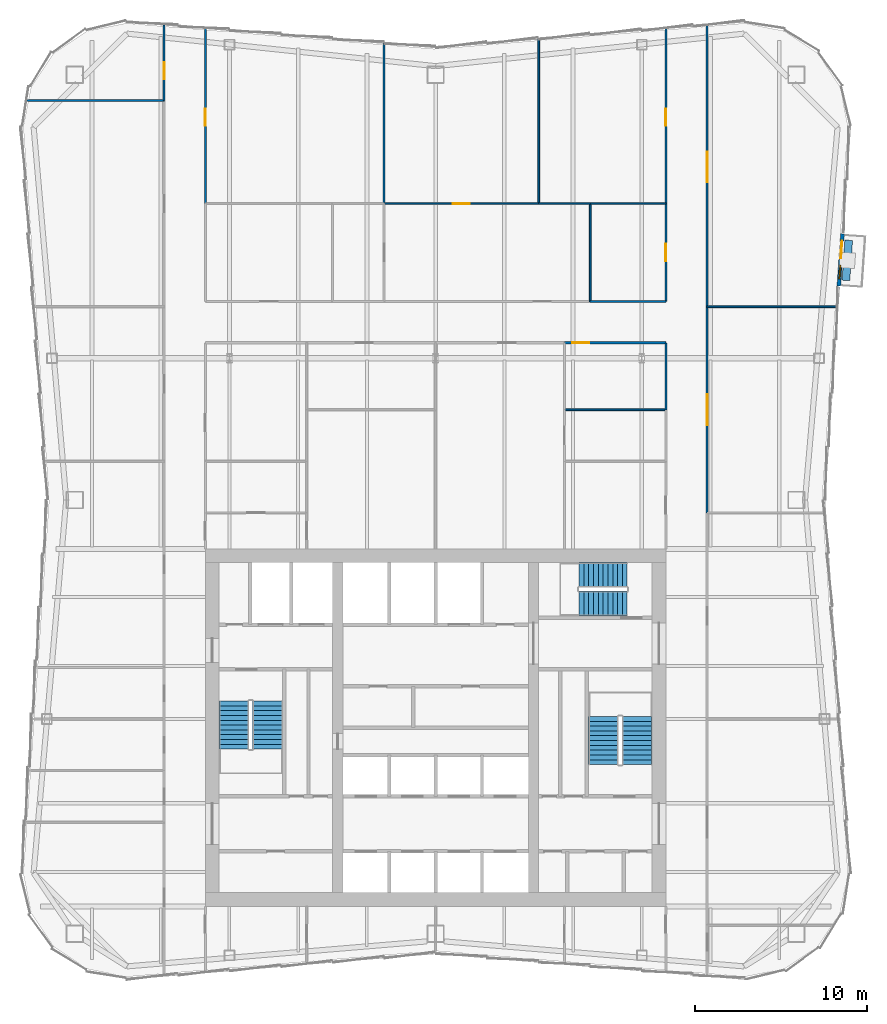
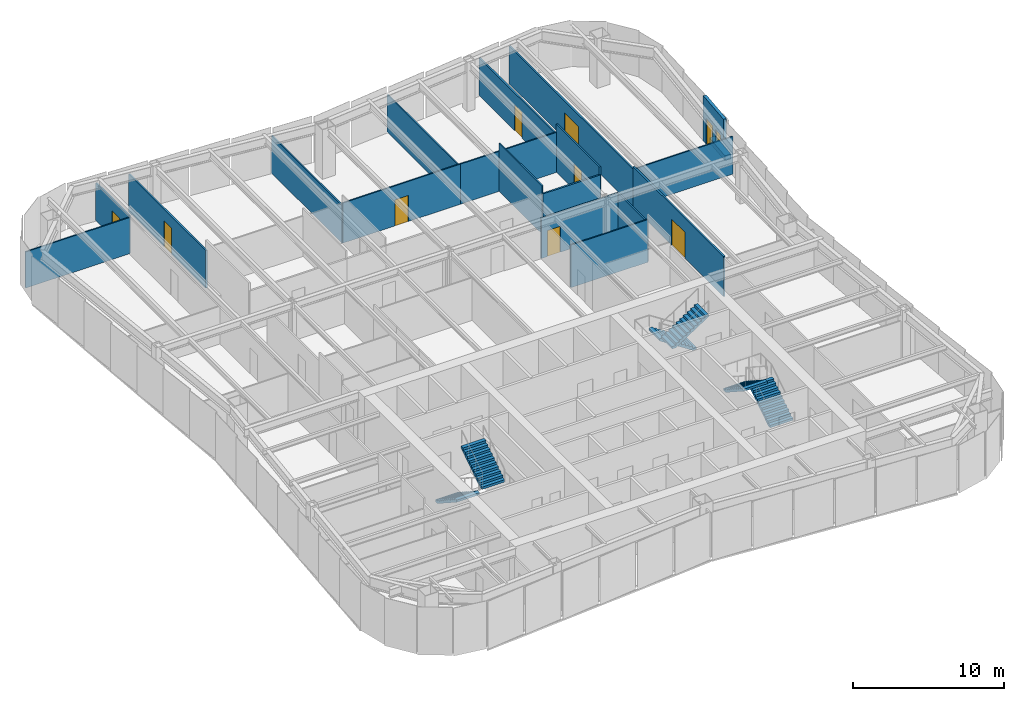
# One storey, part 9 of 11: 20 walls, 9 doors, 6 stair flights, 1 window, 10 openings, 3 elements without a shape of their own.
"""IFC4 building model written with IfcOpenShell, lengths in metres."""

from ifc_helpers import new_model, si_unit, direction, frame, frame_2d, origin, place, context, subcontext, project, spatial, polyline, rectangle, outline, extrude, material, layer, layer_set, type_object, element, fill, aggregate, save


model = new_model("IFC4")

# Units and contexts
model_context = context("Model", 3, precision=1e-05, world=origin(), true_north=direction((0.0, 1.0)))
body_context = subcontext(model_context, "Body", "Model", "MODEL_VIEW")
ifc_project = project(units=[si_unit("LENGTHUNIT", "METRE"), si_unit("AREAUNIT", "SQUARE_METRE"), si_unit("VOLUMEUNIT", "CUBIC_METRE"), si_unit("PLANEANGLEUNIT", "RADIAN"), si_unit("MASSUNIT", "GRAM", prefix="KILO")], contexts=[model_context])

# Site, building, storey
site_placement = place(None, origin())
site = spatial("IfcSite", under=ifc_project, at=site_placement, CompositionType="ELEMENT")
building_placement = place(site_placement, origin())
building = spatial("IfcBuilding", under=site, at=building_placement, Name="Verdant Reach Tower", CompositionType="ELEMENT")
storey_placement = place(building_placement, frame((0.0, 0.0, 254.0)))
storey = spatial("IfcBuildingStorey", under=building, at=storey_placement, Name="L58", CompositionType="ELEMENT", Elevation=254.0)

# Wall, openings, door, window
ifc_material_1 = material(Name="Insulated bronze aluminium panel wall", Category="aluminium")
ifc_layer_1 = layer(ifc_material_1, 0.219970703125)
ifc_layer_set_1 = layer_set([ifc_layer_1], Name="EN-INFILL WALL")
wall_type_1 = type_object("IfcWallType", Name="EN-INFILL WALL", PredefinedType="SOLIDWALL", material=ifc_layer_set_1)
wall_1_placement = place(storey_placement, frame((23.47119140625, 53.704833984375, 0.0), z_axis=(0.0, 0.0, 1.0), x_axis=(0.068837845086, 0.997627862023, 0.0)))
wall_1 = element("IfcWall", 1, at=wall_1_placement, inside=storey, type_object=wall_type_1, Name="External infill wall, balcony bay 1, L58", PredefinedType="SOLIDWALL", context=body_context, shape_type="SweptSolid", body=[
    extrude(rectangle(XDim=3.046630859375, YDim=0.22412109375, at=frame_2d((1.5234375, 0.0))), origin(), (0.0, 0.0, 1.0), 3.64990234375),
])
opening_1_placement = place(wall_1_placement, frame((1.631103515625, 0.0, 0.0)))
opening_1 = element("IfcOpeningElement", 2, at=opening_1_placement, cuts=wall_1, Name="Opening BD1", PredefinedType="OPENING", context=body_context, shape_type="SweptSolid", body=[
    extrude(rectangle(XDim=1.0, YDim=2.10009765625, at=frame_2d((0.5, 1.050048828125))), frame((0.0, 0.1220703125, 0.0), z_axis=(0.0, -1.0, 0.0), x_axis=(1.0, 0.0, 0.0)), (0.0, 0.0, 1.0), 0.244140625),
])
opening_2_placement = place(wall_1_placement, frame((0.41552734375, 0.0, 0.89990234375)))
opening_2 = element("IfcOpeningElement", 3, at=opening_2_placement, cuts=wall_1, Name="Opening BW1", PredefinedType="OPENING", context=body_context, shape_type="SweptSolid", body=[
    extrude(rectangle(XDim=0.800048828125, YDim=1.199951171875, at=frame_2d((0.39990234375, 0.60009765625))), frame((0.0, 0.1220703125, 0.0), z_axis=(0.0, -1.0, 0.0), x_axis=(1.0, 0.0, 0.0)), (0.0, 0.0, 1.0), 0.244140625),
])
ifc_material_2 = material(Name="Aluminium framed glazed door", Category="aluminium")
door_type_1 = type_object("IfcDoorType", Name="EN-DOOR BALCONY", OperationType="NOTDEFINED", PredefinedType="DOOR", material=ifc_material_2)
door_1_placement = place(opening_1_placement, origin())
door_1 = element("IfcDoor", 4, at=door_1_placement, inside=storey, type_object=door_type_1, Name="Balcony door 1, L58", OperationType="SINGLE_SWING_RIGHT", OverallHeight=2.10009765625, OverallWidth=1.0, PredefinedType="DOOR", context=body_context, shape_type="SweptSolid", body=[
    extrude(rectangle(XDim=1.0, YDim=2.10009765625, at=frame_2d((0.5, 1.050048828125))), frame((0.0, 0.02490234375, 0.0), z_axis=(0.0, -1.0, 0.0), x_axis=(1.0, 0.0, 0.0)), (0.0, 0.0, 1.0), 0.050048828125),
])
fill(opening_1, door_1)
ifc_material_3 = material(Name="Aluminium framed glazing", Category="aluminium")
window_type = type_object("IfcWindowType", Name="EN-WINDOW BALCONY", PartitioningType="SINGLE_PANEL", PredefinedType="WINDOW", material=ifc_material_3)
window_placement = place(opening_2_placement, origin())
window = element("IfcWindow", 5, at=window_placement, inside=storey, type_object=window_type, Name="Balcony window 1, L58", OverallHeight=1.199951171875, OverallWidth=0.800048828125, PartitioningType="SINGLE_PANEL", PredefinedType="WINDOW", context=body_context, shape_type="SweptSolid", body=[
    extrude(rectangle(XDim=0.800048828125, YDim=1.199951171875, at=frame_2d((0.39990234375, 0.60009765625))), frame((0.0, 0.030029296875, 0.0), z_axis=(0.0, -1.0, 0.0), x_axis=(1.0, 0.0, 0.0)), (0.0, 0.0, 1.0), 0.06005859375),
])
fill(opening_2, window)

# Walls
ifc_material_4 = material(Name="Precast concrete C30/37", Category="concrete")
ifc_layer_2 = layer(ifc_material_4, 0.449951171875)
ifc_layer_set_2 = layer_set([ifc_layer_2], Name="EN-PLANTER")
wall_type_2 = type_object("IfcWallType", Name="EN-PLANTER", PredefinedType="USERDEFINED", material=ifc_layer_set_2)
wall_2_placement = place(storey_placement, frame((23.88134765625, 54.02734375, 0.0), z_axis=(0.0, 0.0, 1.0), x_axis=(0.068769956374, 0.997632544127, 0.0)))
element("IfcWall", 6, at=wall_2_placement, inside=storey, type_object=wall_type_2, Name="Balcony planter 1, L58", ObjectType="PLANTER", PredefinedType="USERDEFINED", context=body_context, shape_type="SweptSolid", body=[
    extrude(rectangle(XDim=2.3466796875, YDim=0.449951171875, at=frame_2d((1.17333984375, 0.0))), origin(), (0.0, 0.0, 1.0), 0.39990234375),
])
ifc_material_5 = material(Name="Gypsum board on steel studs", Category="steel")
ifc_layer_3 = layer(ifc_material_5, 0.10009765625)
ifc_layer_set_3 = layer_set([ifc_layer_3], Name="FL-W1 Partition 100")
wall_type_3 = type_object("IfcWallType", Name="FL-W1 Partition 100", PredefinedType="PARTITIONING", material=ifc_layer_set_3)
wall_3_placement = place(storey_placement, frame((-15.800048828125, 64.5, 0.0), z_axis=(0.0, 0.0, 1.0), x_axis=(-1.0, 0.0, 0.0)))
element("IfcWall", 7, at=wall_3_placement, inside=storey, type_object=wall_type_3, Name="Partition 58.40", PredefinedType="PARTITIONING", context=body_context, shape_type="SweptSolid", body=[
    extrude(rectangle(XDim=7.9814453125, YDim=0.10009765625, at=frame_2d((3.99072265625, 0.0))), origin(), (0.0, 0.0, 1.0), 2.929931640625),
])
wall_4_placement = place(storey_placement, frame((23.35595703125, 52.5, 0.0), z_axis=(0.0, 0.0, 1.0), x_axis=(-1.0, 0.0, 0.0)))
element("IfcWall", 8, at=wall_4_placement, inside=storey, type_object=wall_type_3, Name="Partition 58.44", PredefinedType="PARTITIONING", context=body_context, shape_type="SweptSolid", body=[
    extrude(rectangle(XDim=7.555908203125, YDim=0.10009765625, at=frame_2d((3.77783203125, 0.0))), origin(), (0.0, 0.0, 1.0), 3.0400390625),
])
wall_5_placement = place(storey_placement, frame((13.39990234375, 46.5, 0.0), z_axis=(0.0, 0.0, 1.0), x_axis=(-1.0, 0.0, 0.0)))
element("IfcWall", 9, at=wall_5_placement, inside=storey, type_object=wall_type_3, Name="Partition 58.59", PredefinedType="PARTITIONING", context=body_context, shape_type="SweptSolid", body=[
    extrude(rectangle(XDim=5.89990234375, YDim=0.10009765625, at=frame_2d((2.949951171875, 0.0))), origin(), (0.0, 0.0, 1.0), 3.43994140625),
])
wall_6_placement = place(storey_placement, frame((9.0, 52.800048828125, 0.0), z_axis=(0.0, 0.0, 1.0), x_axis=(0.0, 1.0, 0.0)))
element("IfcWall", 10, at=wall_6_placement, inside=storey, type_object=wall_type_3, Name="Partition 58.66", PredefinedType="PARTITIONING", context=body_context, shape_type="SweptSolid", body=[
    extrude(rectangle(XDim=5.699951171875, YDim=0.10009765625, at=frame_2d((2.85009765625, 0.0))), origin(), (0.0, 0.0, 1.0), 3.8701171875),
])

# Wall, opening, door
wall_7_placement = place(storey_placement, frame((-3.0, 58.5, 0.0), z_axis=(0.0, 0.0, 1.0), x_axis=(1.0, 0.0, 0.0)))
wall_7 = element("IfcWall", 11, at=wall_7_placement, inside=storey, type_object=wall_type_3, Name="Partition 58.67", PredefinedType="PARTITIONING", context=body_context, shape_type="SweptSolid", body=[
    extrude(rectangle(XDim=9.0, YDim=0.10009765625, at=frame_2d((4.5, 0.0))), origin(), (0.0, 0.0, 1.0), 3.239990234375),
])
opening_3_placement = place(wall_7_placement, frame((4.0, 0.0, 0.0)))
opening_3 = element("IfcOpeningElement", 12, at=opening_3_placement, cuts=wall_7, Name="Opening D3", PredefinedType="OPENING", context=body_context, shape_type="SweptSolid", body=[
    extrude(rectangle(XDim=1.0, YDim=2.10009765625, at=frame_2d((0.5, 1.050048828125))), frame((0.0, 0.06005859375, 0.0), z_axis=(0.0, -1.0, 0.0), x_axis=(1.0, 0.0, 0.0)), (0.0, 0.0, 1.0), 0.1201171875),
])
ifc_material_6 = material(Name="Painted timber door leaf", Category="wood")
door_type_2 = type_object("IfcDoorType", Name="FL-D3 Door 1000x2100", OperationType="NOTDEFINED", PredefinedType="DOOR", material=ifc_material_6)
door_2_placement = place(opening_3_placement, origin())
door_2 = element("IfcDoor", 13, at=door_2_placement, inside=storey, type_object=door_type_2, Name="Door 58-033", OperationType="SINGLE_SWING_LEFT", OverallHeight=2.10009765625, OverallWidth=1.0, PredefinedType="DOOR", context=body_context, shape_type="SweptSolid", body=[
    extrude(rectangle(XDim=1.0, YDim=2.10009765625, at=frame_2d((0.5, 1.050048828125))), frame((0.0, 0.02490234375, 0.0), z_axis=(0.0, -1.0, 0.0), x_axis=(1.0, 0.0, 0.0)), (0.0, 0.0, 1.0), 0.050048828125),
])
fill(opening_3, door_2)

# Walls
wall_8_placement = place(storey_placement, frame((9.00390625, 58.5, 0.0), z_axis=(0.0, 0.0, 1.0), x_axis=(-1.0, 0.0, 0.0)))
element("IfcWall", 14, at=wall_8_placement, inside=storey, type_object=wall_type_3, Name="Partition 58.68", PredefinedType="PARTITIONING", context=body_context, shape_type="SweptSolid", body=[
    extrude(rectangle(XDim=3.00390625, YDim=0.10009765625, at=frame_2d((1.501953125, 0.0))), origin(), (0.0, 0.0, 1.0), 3.239990234375),
])
wall_9_placement = place(storey_placement, frame((13.39990234375, 58.5, 0.0), z_axis=(0.0, 0.0, 1.0), x_axis=(-1.0, 0.0, 0.0)))
element("IfcWall", 15, at=wall_9_placement, inside=storey, type_object=wall_type_3, Name="Partition 58.69", PredefinedType="PARTITIONING", context=body_context, shape_type="SweptSolid", body=[
    extrude(rectangle(XDim=4.40380859375, YDim=0.10009765625, at=frame_2d((2.201904296875, 0.0))), origin(), (0.0, 0.0, 1.0), 3.239990234375),
])
wall_10_placement = place(storey_placement, frame((-3.0, 58.5, 0.0), z_axis=(0.0, 0.0, 1.0), x_axis=(0.0, 1.0, 0.0)))
element("IfcWall", 16, at=wall_10_placement, inside=storey, type_object=wall_type_3, Name="Partition 58.70", PredefinedType="PARTITIONING", context=body_context, shape_type="SweptSolid", body=[
    extrude(rectangle(XDim=9.330078125, YDim=0.10009765625, at=frame_2d((4.6650390625, 0.0))), origin(), (0.0, 0.0, 1.0), 3.0400390625),
])
wall_11_placement = place(storey_placement, frame((6.0, 58.5, 0.0), z_axis=(0.0, 0.0, 1.0), x_axis=(0.0, 1.0, 0.0)))
element("IfcWall", 17, at=wall_11_placement, inside=storey, type_object=wall_type_3, Name="Partition 58.71", PredefinedType="PARTITIONING", context=body_context, shape_type="SweptSolid", body=[
    extrude(rectangle(XDim=9.580078125, YDim=0.10009765625, at=frame_2d((4.7900390625, 0.0))), origin(), (0.0, 0.0, 1.0), 3.0400390625),
])

# Wall, opening, door
ifc_material_7 = material(Name="Gypsum board on steel studs, fire rated", Category="steel")
ifc_layer_4 = layer(ifc_material_7, 0.125)
ifc_layer_set_4 = layer_set([ifc_layer_4], Name="FL-W2 Corridor wall 125")
wall_type_4 = type_object("IfcWallType", Name="FL-W2 Corridor wall 125", PredefinedType="PARTITIONING", material=ifc_layer_set_4)
wall_12_placement = place(storey_placement, frame((-15.800048828125, 64.5, 0.0), z_axis=(0.0, 0.0, 1.0), x_axis=(0.0, 1.0, 0.0)))
wall_12 = element("IfcWall", 18, at=wall_12_placement, inside=storey, type_object=wall_type_4, Name="Partition 58.08", PredefinedType="PARTITIONING", context=body_context, shape_type="SweptSolid", body=[
    extrude(rectangle(XDim=4.396728515625, YDim=0.125, at=frame_2d((2.1982421875, 0.0))), origin(), (0.0, 0.0, 1.0), 3.0400390625),
])
opening_4_placement = place(wall_12_placement, frame((1.233154296875, 0.0, 0.0)))
opening_4 = element("IfcOpeningElement", 19, at=opening_4_placement, cuts=wall_12, Name="Opening D2", PredefinedType="OPENING", context=body_context, shape_type="SweptSolid", body=[
    extrude(rectangle(XDim=1.0, YDim=2.10009765625, at=frame_2d((0.5, 1.050048828125))), frame((0.0, 0.072509765625, 0.0), z_axis=(0.0, -1.0, 0.0), x_axis=(1.0, 0.0, 0.0)), (0.0, 0.0, 1.0), 0.14501953125),
])
ifc_material_8 = material(Name="Timber door leaf, fire rated", Category="wood")
door_type_3 = type_object("IfcDoorType", Name="FL-D2 Entrance door 1000x2100 FD30", OperationType="NOTDEFINED", PredefinedType="DOOR", material=ifc_material_8)
door_3_placement = place(opening_4_placement, origin())
door_3 = element("IfcDoor", 20, at=door_3_placement, inside=storey, type_object=door_type_3, Name="Door 58-008", OperationType="SINGLE_SWING_LEFT", OverallHeight=2.10009765625, OverallWidth=1.0, PredefinedType="DOOR", context=body_context, shape_type="SweptSolid", body=[
    extrude(rectangle(XDim=1.0, YDim=2.10009765625, at=frame_2d((0.5, 1.050048828125))), frame((0.0, 0.02490234375, 0.0), z_axis=(0.0, -1.0, 0.0), x_axis=(1.0, 0.0, 0.0)), (0.0, 0.0, 1.0), 0.050048828125),
])
fill(opening_4, door_3)

wall_13_placement = place(storey_placement, frame((15.800048828125, 40.5, 0.0), z_axis=(0.0, 0.0, 1.0), x_axis=(0.0, 1.0, 0.0)))
wall_13 = element("IfcWall", 21, at=wall_13_placement, inside=storey, type_object=wall_type_4, Name="Partition 58.12", PredefinedType="PARTITIONING", context=body_context, shape_type="SweptSolid", body=[
    extrude(rectangle(XDim=12.0, YDim=0.125, at=frame_2d((6.0, 0.0))), origin(), (0.0, 0.0, 1.0), 3.239990234375),
])
opening_5_placement = place(wall_13_placement, frame((5.10009765625, 0.0, 0.0)))
opening_5 = element("IfcOpeningElement", 22, at=opening_5_placement, cuts=wall_13, Name="Opening D4", PredefinedType="OPENING", context=body_context, shape_type="SweptSolid", body=[
    extrude(rectangle(XDim=1.800048828125, YDim=2.10009765625, at=frame_2d((0.89990234375, 1.050048828125))), frame((0.0, 0.072509765625, 0.0), z_axis=(0.0, -1.0, 0.0), x_axis=(1.0, 0.0, 0.0)), (0.0, 0.0, 1.0), 0.14501953125),
])
ifc_material_9 = material(Name="Timber door leaves, fire rated", Category="wood")
door_type_4 = type_object("IfcDoorType", Name="FL-D4 Double door 1800x2100 FD30", OperationType="DOUBLE_DOOR_SINGLE_SWING", PredefinedType="DOOR", material=ifc_material_9)
door_4_placement = place(opening_5_placement, origin())
door_4 = element("IfcDoor", 23, at=door_4_placement, inside=storey, type_object=door_type_4, Name="Door 58-012", OperationType="DOUBLE_DOOR_SINGLE_SWING", OverallHeight=2.10009765625, OverallWidth=1.800048828125, PredefinedType="DOOR", context=body_context, shape_type="SweptSolid", body=[
    extrude(rectangle(XDim=1.800048828125, YDim=2.10009765625, at=frame_2d((0.89990234375, 1.050048828125))), frame((0.0, 0.02490234375, 0.0), z_axis=(0.0, -1.0, 0.0), x_axis=(1.0, 0.0, 0.0)), (0.0, 0.0, 1.0), 0.050048828125),
])
fill(opening_5, door_4)

wall_14_placement = place(storey_placement, frame((15.800048828125, 52.5, 0.0), z_axis=(0.0, 0.0, 1.0), x_axis=(0.0, 1.0, 0.0)))
wall_14 = element("IfcWall", 24, at=wall_14_placement, inside=storey, type_object=wall_type_4, Name="Partition 58.13", PredefinedType="PARTITIONING", context=body_context, shape_type="SweptSolid", body=[
    extrude(rectangle(XDim=16.396728515625, YDim=0.125, at=frame_2d((8.1982421875, 0.0))), origin(), (0.0, 0.0, 1.0), 3.0400390625),
])
opening_6_placement = place(wall_14_placement, frame((7.233154296875, 0.0, 0.0)))
opening_6 = element("IfcOpeningElement", 25, at=opening_6_placement, cuts=wall_14, Name="Opening D4", PredefinedType="OPENING", context=body_context, shape_type="SweptSolid", body=[
    extrude(rectangle(XDim=1.800048828125, YDim=2.10009765625, at=frame_2d((0.89990234375, 1.050048828125))), frame((0.0, 0.072509765625, 0.0), z_axis=(0.0, -1.0, 0.0), x_axis=(1.0, 0.0, 0.0)), (0.0, 0.0, 1.0), 0.14501953125),
])
door_5_placement = place(opening_6_placement, origin())
door_5 = element("IfcDoor", 26, at=door_5_placement, inside=storey, type_object=door_type_4, Name="Door 58-013", OperationType="DOUBLE_DOOR_SINGLE_SWING", OverallHeight=2.10009765625, OverallWidth=1.800048828125, PredefinedType="DOOR", context=body_context, shape_type="SweptSolid", body=[
    extrude(rectangle(XDim=1.800048828125, YDim=2.10009765625, at=frame_2d((0.89990234375, 1.050048828125))), frame((0.0, 0.02490234375, 0.0), z_axis=(0.0, -1.0, 0.0), x_axis=(1.0, 0.0, 0.0)), (0.0, 0.0, 1.0), 0.050048828125),
])
fill(opening_6, door_5)

wall_15_placement = place(storey_placement, frame((13.39990234375, 50.39990234375, 0.0), z_axis=(0.0, 0.0, 1.0), x_axis=(-1.0, 0.0, 0.0)))
wall_15 = element("IfcWall", 27, at=wall_15_placement, inside=storey, type_object=wall_type_4, Name="Partition 58.23", PredefinedType="PARTITIONING", context=body_context, shape_type="SweptSolid", body=[
    extrude(rectangle(XDim=5.89990234375, YDim=0.125, at=frame_2d((2.949951171875, 0.0))), origin(), (0.0, 0.0, 1.0), 3.239990234375),
])
opening_7_placement = place(wall_15_placement, frame((4.449951171875, 0.0, 0.0)))
opening_7 = element("IfcOpeningElement", 28, at=opening_7_placement, cuts=wall_15, Name="Opening D2", PredefinedType="OPENING", context=body_context, shape_type="SweptSolid", body=[
    extrude(rectangle(XDim=1.0, YDim=2.10009765625, at=frame_2d((0.5, 1.050048828125))), frame((0.0, 0.072509765625, 0.0), z_axis=(0.0, -1.0, 0.0), x_axis=(1.0, 0.0, 0.0)), (0.0, 0.0, 1.0), 0.14501953125),
])
door_6_placement = place(opening_7_placement, origin())
door_6 = element("IfcDoor", 29, at=door_6_placement, inside=storey, type_object=door_type_3, Name="Door 58-020", OperationType="SINGLE_SWING_RIGHT", OverallHeight=2.10009765625, OverallWidth=1.0, PredefinedType="DOOR", context=body_context, shape_type="SweptSolid", body=[
    extrude(rectangle(XDim=1.0, YDim=2.10009765625, at=frame_2d((0.5, 1.050048828125))), frame((0.0, 0.02490234375, 0.0), z_axis=(0.0, -1.0, 0.0), x_axis=(1.0, 0.0, 0.0)), (0.0, 0.0, 1.0), 0.050048828125),
])
fill(opening_7, door_6)

# Wall
wall_16_placement = place(storey_placement, frame((13.39990234375, 46.5, 0.0), z_axis=(0.0, 0.0, 1.0), x_axis=(0.0, 1.0, 0.0)))
element("IfcWall", 30, at=wall_16_placement, inside=storey, type_object=wall_type_4, Name="Partition 58.24", PredefinedType="PARTITIONING", context=body_context, shape_type="SweptSolid", body=[
    extrude(rectangle(XDim=3.89990234375, YDim=0.125, at=frame_2d((1.949951171875, 0.0))), origin(), (0.0, 0.0, 1.0), 3.239990234375),
])

# Wall, opening, door
wall_17_placement = place(storey_placement, frame((13.39990234375, 52.800048828125, 0.0), z_axis=(0.0, 0.0, 1.0), x_axis=(0.0, 1.0, 0.0)))
wall_17 = element("IfcWall", 31, at=wall_17_placement, inside=storey, type_object=wall_type_4, Name="Partition 58.30", PredefinedType="PARTITIONING", context=body_context, shape_type="SweptSolid", body=[
    extrude(rectangle(XDim=5.699951171875, YDim=0.125, at=frame_2d((2.85009765625, 0.0))), origin(), (0.0, 0.0, 1.0), 3.8701171875),
])
opening_8_placement = place(wall_17_placement, frame((2.35009765625, 0.0, 0.0)))
opening_8 = element("IfcOpeningElement", 32, at=opening_8_placement, cuts=wall_17, Name="Opening D2", PredefinedType="OPENING", context=body_context, shape_type="SweptSolid", body=[
    extrude(rectangle(XDim=1.0, YDim=2.10009765625, at=frame_2d((0.5, 1.050048828125))), frame((0.0, 0.072509765625, 0.0), z_axis=(0.0, -1.0, 0.0), x_axis=(1.0, 0.0, 0.0)), (0.0, 0.0, 1.0), 0.14501953125),
])
door_7_placement = place(opening_8_placement, origin())
door_7 = element("IfcDoor", 33, at=door_7_placement, inside=storey, type_object=door_type_3, Name="Door 58-024", OperationType="SINGLE_SWING_RIGHT", OverallHeight=2.10009765625, OverallWidth=1.0, PredefinedType="DOOR", context=body_context, shape_type="SweptSolid", body=[
    extrude(rectangle(XDim=1.0, YDim=2.10009765625, at=frame_2d((0.5, 1.050048828125))), frame((0.0, 0.02490234375, 0.0), z_axis=(0.0, -1.0, 0.0), x_axis=(1.0, 0.0, 0.0)), (0.0, 0.0, 1.0), 0.050048828125),
])
fill(opening_8, door_7)

# Wall
wall_18_placement = place(storey_placement, frame((13.39990234375, 52.800048828125, 0.0), z_axis=(0.0, 0.0, 1.0), x_axis=(-1.0, 0.0, 0.0)))
element("IfcWall", 34, at=wall_18_placement, inside=storey, type_object=wall_type_4, Name="Partition 58.31", PredefinedType="PARTITIONING", context=body_context, shape_type="SweptSolid", body=[
    extrude(rectangle(XDim=4.39990234375, YDim=0.125, at=frame_2d((2.199951171875, 0.0))), origin(), (0.0, 0.0, 1.0), 3.239990234375),
])

# Wall, opening, door
wall_19_placement = place(storey_placement, frame((-13.39990234375, 68.69677734375, 0.0), z_axis=(0.0, 0.0, 1.0), x_axis=(0.0, -1.0, 0.0)))
wall_19 = element("IfcWall", 35, at=wall_19_placement, inside=storey, type_object=wall_type_4, Name="Partition 58.32", PredefinedType="PARTITIONING", context=body_context, shape_type="SweptSolid", body=[
    extrude(rectangle(XDim=10.19677734375, YDim=0.125, at=frame_2d((5.098388671875, 0.0))), origin(), (0.0, 0.0, 1.0), 3.0400390625),
])
opening_9_placement = place(wall_19_placement, frame((4.663330078125, 0.0, 0.0)))
opening_9 = element("IfcOpeningElement", 36, at=opening_9_placement, cuts=wall_19, Name="Opening D2", PredefinedType="OPENING", context=body_context, shape_type="SweptSolid", body=[
    extrude(rectangle(XDim=1.0, YDim=2.10009765625, at=frame_2d((0.5, 1.050048828125))), frame((0.0, 0.072509765625, 0.0), z_axis=(0.0, -1.0, 0.0), x_axis=(1.0, 0.0, 0.0)), (0.0, 0.0, 1.0), 0.14501953125),
])
door_8_placement = place(opening_9_placement, origin())
door_8 = element("IfcDoor", 37, at=door_8_placement, inside=storey, type_object=door_type_3, Name="Door 58-025", OperationType="SINGLE_SWING_RIGHT", OverallHeight=2.10009765625, OverallWidth=1.0, PredefinedType="DOOR", context=body_context, shape_type="SweptSolid", body=[
    extrude(rectangle(XDim=1.0, YDim=2.10009765625, at=frame_2d((0.5, 1.050048828125))), frame((0.0, 0.02490234375, 0.0), z_axis=(0.0, -1.0, 0.0), x_axis=(1.0, 0.0, 0.0)), (0.0, 0.0, 1.0), 0.050048828125),
])
fill(opening_9, door_8)

wall_20_placement = place(storey_placement, frame((13.39990234375, 58.5, 0.0), z_axis=(0.0, 0.0, 1.0), x_axis=(0.0, 1.0, 0.0)))
wall_20 = element("IfcWall", 38, at=wall_20_placement, inside=storey, type_object=wall_type_4, Name="Partition 58.33", PredefinedType="PARTITIONING", context=body_context, shape_type="SweptSolid", body=[
    extrude(rectangle(XDim=10.19677734375, YDim=0.125, at=frame_2d((5.098388671875, 0.0))), origin(), (0.0, 0.0, 1.0), 3.0400390625),
])
opening_10_placement = place(wall_20_placement, frame((4.533203125, 0.0, 0.0)))
opening_10 = element("IfcOpeningElement", 39, at=opening_10_placement, cuts=wall_20, Name="Opening D2", PredefinedType="OPENING", context=body_context, shape_type="SweptSolid", body=[
    extrude(rectangle(XDim=1.0, YDim=2.10009765625, at=frame_2d((0.5, 1.050048828125))), frame((0.0, 0.072509765625, 0.0), z_axis=(0.0, -1.0, 0.0), x_axis=(1.0, 0.0, 0.0)), (0.0, 0.0, 1.0), 0.14501953125),
])
door_9_placement = place(opening_10_placement, origin())
door_9 = element("IfcDoor", 40, at=door_9_placement, inside=storey, type_object=door_type_3, Name="Door 58-026", OperationType="SINGLE_SWING_LEFT", OverallHeight=2.10009765625, OverallWidth=1.0, PredefinedType="DOOR", context=body_context, shape_type="SweptSolid", body=[
    extrude(rectangle(XDim=1.0, YDim=2.10009765625, at=frame_2d((0.5, 1.050048828125))), frame((0.0, 0.02490234375, 0.0), z_axis=(0.0, -1.0, 0.0), x_axis=(1.0, 0.0, 0.0)), (0.0, 0.0, 1.0), 0.050048828125),
])
fill(opening_10, door_9)

# Stair, stair flights
ifc_material_10 = material(Name="Concrete C40/50", Category="concrete")
stair_type = type_object("IfcStairType", Name="CO-STAIR", PredefinedType="HALF_TURN_STAIR", material=ifc_material_10)
stair_1_placement = place(storey_placement, origin())
stair_1 = element("IfcStair", 41, at=stair_1_placement, inside=storey, type_object=stair_type, Name="L58 Exit stair 1", PredefinedType="HALF_TURN_STAIR")
stair_flight_type = type_object("IfcStairFlightType", Name="CO-STAIR-FLIGHT", PredefinedType="STRAIGHT", material=ifc_material_10)
stair_flight_1_placement = place(storey_placement, frame((-11.72509765625, 29.550048828125, 0.0), z_axis=(0.0, 0.0, 1.0), x_axis=(0.0, -1.0, 0.0)))
stair_flight_1 = element("IfcStairFlight", 42, at=stair_flight_1_placement, type_object=stair_flight_type, Name="ST-1 flight 1", NumberOfRisers=11, NumberOfTreads=10, PredefinedType="STRAIGHT", RiserHeight=0.181818182, TreadLength=0.28, context=body_context, shape_type="SweptSolid", body=[
    extrude(outline(polyline([(0.0, 0.0), (0.0, 0.181884765625), (0.280029296875, 0.181884765625), (0.280029296875, 0.363525390625), (0.56005859375, 0.363525390625), (0.56005859375, 0.54541015625), (0.840087890625, 0.54541015625), (0.840087890625, 0.727294921875), (1.1201171875, 0.727294921875), (1.1201171875, 0.9091796875), (1.39990234375, 0.9091796875), (1.39990234375, 1.0908203125), (1.679931640625, 1.0908203125), (1.679931640625, 1.272705078125), (1.9599609375, 1.272705078125), (1.9599609375, 1.45458984375), (2.239990234375, 1.45458984375), (2.239990234375, 1.636474609375), (2.52001953125, 1.636474609375), (2.52001953125, 1.818115234375), (2.800048828125, 1.818115234375), (2.800048828125, 2.0), (2.800048828125, 1.639404296875), (0.275146484375, 0.0), (0.0, 0.0)])), frame((0.0, 0.875, 0.0), z_axis=(0.0, -1.0, 0.0), x_axis=(1.0, 0.0, 0.0)), (0.0, 0.0, 1.0), 1.75),
])
stair_flight_2_placement = place(storey_placement, frame((-9.77490234375, 26.75, 2.0), z_axis=(0.0, 0.0, 1.0), x_axis=(0.0, 1.0, 0.0)))
stair_flight_2 = element("IfcStairFlight", 43, at=stair_flight_2_placement, type_object=stair_flight_type, Name="ST-1 flight 2", NumberOfRisers=11, NumberOfTreads=10, PredefinedType="STRAIGHT", RiserHeight=0.181818182, TreadLength=0.28, context=body_context, shape_type="SweptSolid", body=[
    extrude(outline(polyline([(0.0, 0.0), (0.0, 0.181884765625), (0.280029296875, 0.181884765625), (0.280029296875, 0.363525390625), (0.56005859375, 0.363525390625), (0.56005859375, 0.54541015625), (0.840087890625, 0.54541015625), (0.840087890625, 0.727294921875), (1.1201171875, 0.727294921875), (1.1201171875, 0.9091796875), (1.39990234375, 0.9091796875), (1.39990234375, 1.0908203125), (1.679931640625, 1.0908203125), (1.679931640625, 1.272705078125), (1.9599609375, 1.272705078125), (1.9599609375, 1.45458984375), (2.239990234375, 1.45458984375), (2.239990234375, 1.636474609375), (2.52001953125, 1.636474609375), (2.52001953125, 1.818115234375), (2.800048828125, 1.818115234375), (2.800048828125, 2.0), (2.800048828125, 1.639404296875), (0.275146484375, 0.0), (0.0, 0.0)])), frame((0.0, 0.875, 0.0), z_axis=(0.0, -1.0, 0.0), x_axis=(1.0, 0.0, 0.0)), (0.0, 0.0, 1.0), 1.75),
])
aggregate(stair_1, [stair_flight_1, stair_flight_2])

stair_2_placement = place(storey_placement, origin())
stair_2 = element("IfcStair", 44, at=stair_2_placement, inside=storey, type_object=stair_type, Name="L58 Exit stair 2", PredefinedType="HALF_TURN_STAIR")
stair_flight_3_placement = place(storey_placement, frame((11.72509765625, 25.85009765625, 0.0), z_axis=(0.0, 0.0, 1.0), x_axis=(0.0, 1.0, 0.0)))
stair_flight_3 = element("IfcStairFlight", 45, at=stair_flight_3_placement, type_object=stair_flight_type, Name="ST-2 flight 1", NumberOfRisers=11, NumberOfTreads=10, PredefinedType="STRAIGHT", RiserHeight=0.181818182, TreadLength=0.28, context=body_context, shape_type="SweptSolid", body=[
    extrude(outline(polyline([(0.0, 0.0), (0.0, 0.181884765625), (0.280029296875, 0.181884765625), (0.280029296875, 0.363525390625), (0.56005859375, 0.363525390625), (0.56005859375, 0.54541015625), (0.840087890625, 0.54541015625), (0.840087890625, 0.727294921875), (1.1201171875, 0.727294921875), (1.1201171875, 0.9091796875), (1.39990234375, 0.9091796875), (1.39990234375, 1.0908203125), (1.679931640625, 1.0908203125), (1.679931640625, 1.272705078125), (1.9599609375, 1.272705078125), (1.9599609375, 1.45458984375), (2.239990234375, 1.45458984375), (2.239990234375, 1.636474609375), (2.52001953125, 1.636474609375), (2.52001953125, 1.818115234375), (2.800048828125, 1.818115234375), (2.800048828125, 2.0), (2.800048828125, 1.639404296875), (0.275146484375, 0.0), (0.0, 0.0)])), frame((0.0, 0.875, 0.0), z_axis=(0.0, -1.0, 0.0), x_axis=(1.0, 0.0, 0.0)), (0.0, 0.0, 1.0), 1.75),
])
stair_flight_4_placement = place(storey_placement, frame((9.77490234375, 28.64990234375, 2.0), z_axis=(0.0, 0.0, 1.0), x_axis=(0.0, -1.0, 0.0)))
stair_flight_4 = element("IfcStairFlight", 46, at=stair_flight_4_placement, type_object=stair_flight_type, Name="ST-2 flight 2", NumberOfRisers=11, NumberOfTreads=10, PredefinedType="STRAIGHT", RiserHeight=0.181818182, TreadLength=0.28, context=body_context, shape_type="SweptSolid", body=[
    extrude(outline(polyline([(0.0, 0.0), (0.0, 0.181884765625), (0.280029296875, 0.181884765625), (0.280029296875, 0.363525390625), (0.56005859375, 0.363525390625), (0.56005859375, 0.54541015625), (0.840087890625, 0.54541015625), (0.840087890625, 0.727294921875), (1.1201171875, 0.727294921875), (1.1201171875, 0.9091796875), (1.39990234375, 0.9091796875), (1.39990234375, 1.0908203125), (1.679931640625, 1.0908203125), (1.679931640625, 1.272705078125), (1.9599609375, 1.272705078125), (1.9599609375, 1.45458984375), (2.239990234375, 1.45458984375), (2.239990234375, 1.636474609375), (2.52001953125, 1.636474609375), (2.52001953125, 1.818115234375), (2.800048828125, 1.818115234375), (2.800048828125, 2.0), (2.800048828125, 1.639404296875), (0.275146484375, 0.0), (0.0, 0.0)])), frame((0.0, 0.875, 0.0), z_axis=(0.0, -1.0, 0.0), x_axis=(1.0, 0.0, 0.0)), (0.0, 0.0, 1.0), 1.75),
])
aggregate(stair_2, [stair_flight_3, stair_flight_4])

stair_3_placement = place(storey_placement, origin())
stair_3 = element("IfcStair", 47, at=stair_3_placement, inside=storey, type_object=stair_type, Name="L58 Exit stair 3", PredefinedType="HALF_TURN_STAIR")
stair_flight_5_placement = place(storey_placement, frame((11.14990234375, 36.875, 0.0), z_axis=(0.0, 0.0, 1.0), x_axis=(-1.0, 0.0, 0.0)))
stair_flight_5 = element("IfcStairFlight", 48, at=stair_flight_5_placement, type_object=stair_flight_type, Name="ST-3 flight 1", NumberOfRisers=11, NumberOfTreads=10, PredefinedType="STRAIGHT", RiserHeight=0.181818182, TreadLength=0.28, context=body_context, shape_type="SweptSolid", body=[
    extrude(outline(polyline([(0.0, 0.0), (0.0, 0.181884765625), (0.280029296875, 0.181884765625), (0.280029296875, 0.363525390625), (0.56005859375, 0.363525390625), (0.56005859375, 0.54541015625), (0.840087890625, 0.54541015625), (0.840087890625, 0.727294921875), (1.1201171875, 0.727294921875), (1.1201171875, 0.9091796875), (1.39990234375, 0.9091796875), (1.39990234375, 1.0908203125), (1.679931640625, 1.0908203125), (1.679931640625, 1.272705078125), (1.9599609375, 1.272705078125), (1.9599609375, 1.45458984375), (2.239990234375, 1.45458984375), (2.239990234375, 1.636474609375), (2.52001953125, 1.636474609375), (2.52001953125, 1.818115234375), (2.800048828125, 1.818115234375), (2.800048828125, 2.0), (2.800048828125, 1.639404296875), (0.275146484375, 0.0), (0.0, 0.0)])), frame((0.0, 0.72509765625, 0.0), z_axis=(0.0, -1.0, 0.0), x_axis=(1.0, 0.0, 0.0)), (0.0, 0.0, 1.0), 1.449951171875),
])
stair_flight_6_placement = place(storey_placement, frame((8.35009765625, 35.22509765625, 2.0), z_axis=(0.0, 0.0, 1.0), x_axis=(1.0, 0.0, 0.0)))
stair_flight_6 = element("IfcStairFlight", 49, at=stair_flight_6_placement, type_object=stair_flight_type, Name="ST-3 flight 2", NumberOfRisers=11, NumberOfTreads=10, PredefinedType="STRAIGHT", RiserHeight=0.181818182, TreadLength=0.28, context=body_context, shape_type="SweptSolid", body=[
    extrude(outline(polyline([(0.0, 0.0), (0.0, 0.181884765625), (0.280029296875, 0.181884765625), (0.280029296875, 0.363525390625), (0.56005859375, 0.363525390625), (0.56005859375, 0.54541015625), (0.840087890625, 0.54541015625), (0.840087890625, 0.727294921875), (1.1201171875, 0.727294921875), (1.1201171875, 0.9091796875), (1.39990234375, 0.9091796875), (1.39990234375, 1.0908203125), (1.679931640625, 1.0908203125), (1.679931640625, 1.272705078125), (1.9599609375, 1.272705078125), (1.9599609375, 1.45458984375), (2.239990234375, 1.45458984375), (2.239990234375, 1.636474609375), (2.52001953125, 1.636474609375), (2.52001953125, 1.818115234375), (2.800048828125, 1.818115234375), (2.800048828125, 2.0), (2.800048828125, 1.639404296875), (0.275146484375, 0.0), (0.0, 0.0)])), frame((0.0, 0.72509765625, 0.0), z_axis=(0.0, -1.0, 0.0), x_axis=(1.0, 0.0, 0.0)), (0.0, 0.0, 1.0), 1.449951171875),
])
aggregate(stair_3, [stair_flight_5, stair_flight_6])

save(model, "model.ifc")
